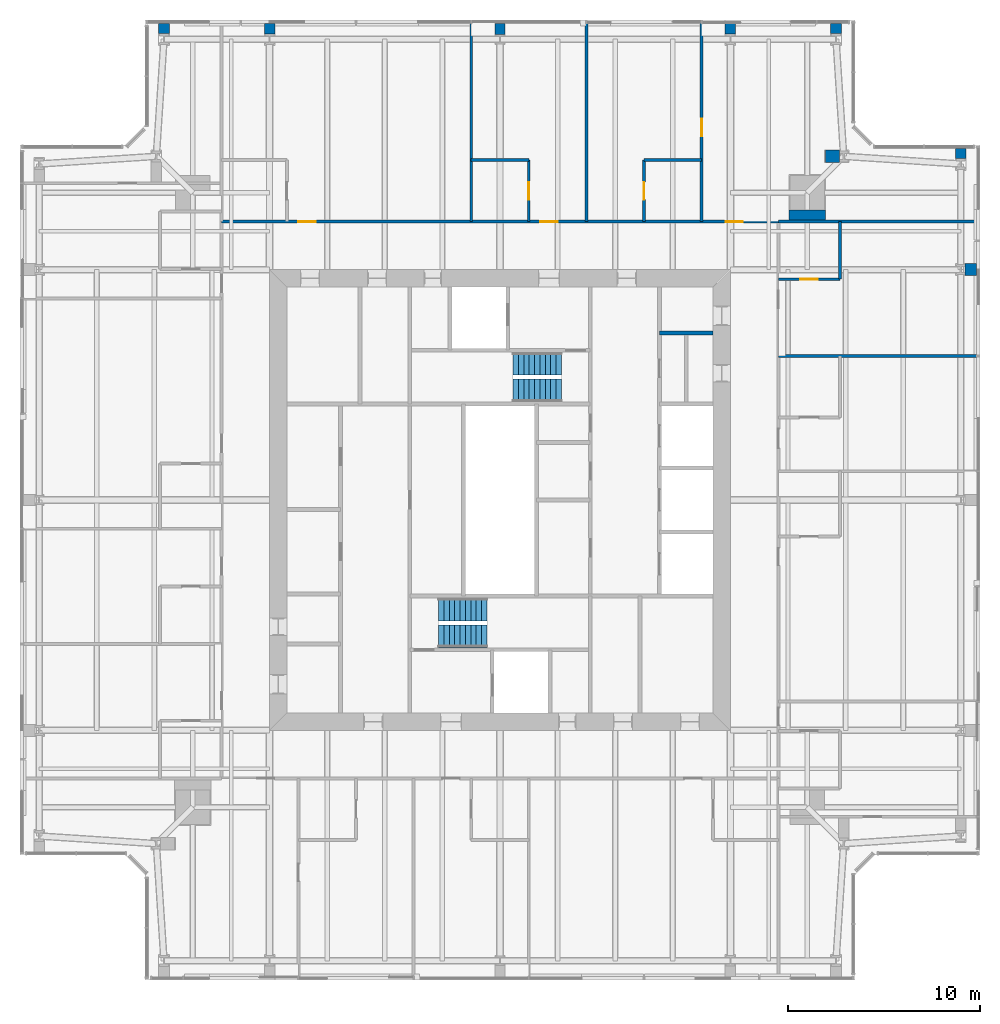
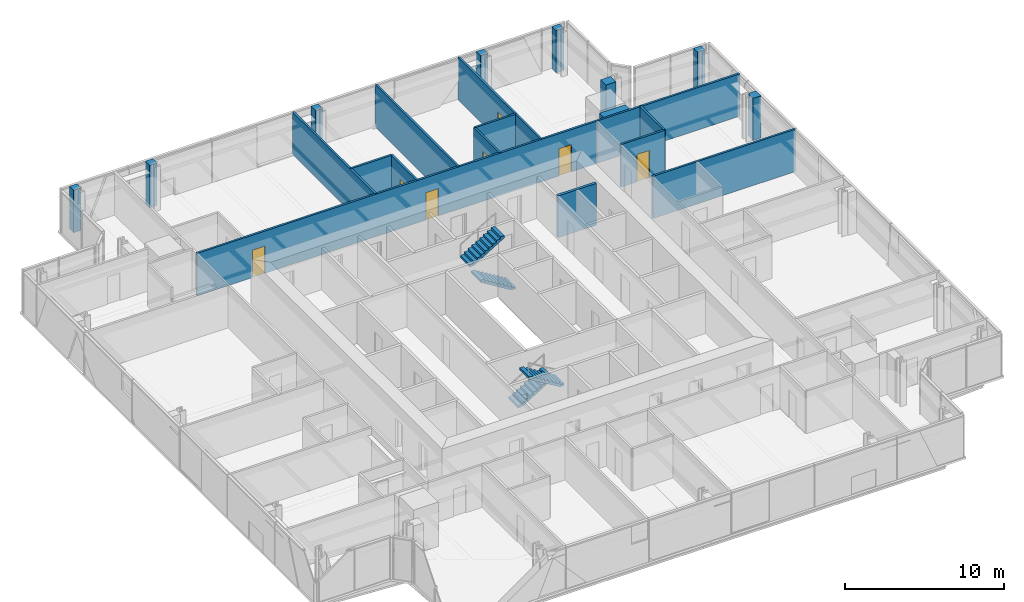
# One storey, part 15 of 18: 22 walls, 7 doors, 4 stair flights, 7 openings, 2 elements without a shape of their own.
"""IFC4 building model written with IfcOpenShell, lengths in metres."""

from ifc_helpers import new_model, si_unit, direction, frame, frame_2d, origin, place, context, subcontext, project, spatial, polyline, rectangle, outline, extrude, material, layer, layer_set, type_object, element, fill, aggregate, save


model = new_model("IFC4")

# Units and contexts
model_context = context("Model", 3, precision=1e-05, world=origin(), true_north=direction((0.0, 1.0)))
body_context = subcontext(model_context, "Body", "Model", "MODEL_VIEW")
ifc_project = project(units=[si_unit("LENGTHUNIT", "METRE"), si_unit("AREAUNIT", "SQUARE_METRE"), si_unit("VOLUMEUNIT", "CUBIC_METRE"), si_unit("PLANEANGLEUNIT", "RADIAN"), si_unit("MASSUNIT", "GRAM", prefix="KILO")], contexts=[model_context])

# Site, building, storey
site_placement = place(None, origin())
site = spatial("IfcSite", under=ifc_project, at=site_placement, CompositionType="ELEMENT")
building_placement = place(site_placement, origin())
building = spatial("IfcBuilding", under=site, at=building_placement, Name="Fenwick Lantern Interchange", CompositionType="ELEMENT")
storey_placement = place(building_placement, frame((0.0, 0.0, 290.0)))
storey = spatial("IfcBuildingStorey", under=building, at=storey_placement, Name="L70", CompositionType="ELEMENT", Elevation=290.0)

# Walls
ifc_material_1 = material(Name="Fire-rated gypsum board encasement on steel studs, 2 hour", Category="steel")
ifc_layer_1 = layer(ifc_material_1, 1.89990234375)
ifc_layer_set_1 = layer_set([ifc_layer_1], Name="COLUMN PIER 1900")
wall_type_1 = type_object("IfcWallType", Name="COLUMN PIER 1900", PredefinedType="PARTITIONING", material=ifc_layer_set_1)
wall_1_placement = place(storey_placement, frame((41.0, 39.574951171875, 0.0), z_axis=(0.0, 0.0, 1.0), x_axis=(0.0, 1.0, 0.0)))
element("IfcWall", 1, at=wall_1_placement, inside=storey, type_object=wall_type_1, Name="L70/W/PIER/M3", PredefinedType="PARTITIONING", context=body_context, shape_type="SweptSolid", body=[
    extrude(rectangle(XDim=0.525146484375, YDim=1.89990234375, at=frame_2d((0.2626953125, 0.0))), origin(), (0.0, 0.0, 1.0), 3.25),
])
ifc_layer_2 = layer(ifc_material_1, 0.52392578125)
ifc_layer_set_2 = layer_set([ifc_layer_2], Name="COLUMN PIER 524")
wall_type_2 = type_object("IfcWallType", Name="COLUMN PIER 524", PredefinedType="PARTITIONING", material=ifc_layer_set_2)
wall_2_placement = place(storey_placement, frame((25.0, 49.81005859375, 0.0), z_axis=(0.0, 0.0, 1.0), x_axis=(0.0, -1.0, 0.0)))
element("IfcWall", 2, at=wall_2_placement, inside=storey, type_object=wall_type_2, Name="L70/W/PIER/CN3", PredefinedType="PARTITIONING", context=body_context, shape_type="SweptSolid", body=[
    extrude(rectangle(XDim=0.572509765625, YDim=0.52392578125, at=frame_2d((0.2861328125, 0.0))), origin(), (0.0, 0.0, 1.0), 3.25),
])
ifc_layer_3 = layer(ifc_material_1, 0.5419921875)
ifc_layer_set_3 = layer_set([ifc_layer_3], Name="COLUMN PIER 542")
wall_type_3 = type_object("IfcWallType", Name="COLUMN PIER 542", PredefinedType="PARTITIONING", material=ifc_layer_set_3)
for number, where, z_axis, x_axis, name in (
    (3, (37.0, 49.81005859375, 0.0), (0.0, 0.0, 1.0), (0.0, -1.0, 0.0), "L70/W/PIER/CN2"),
    (4, (13.0, 49.81005859375, 0.0), (0.0, 0.0, 1.0), (0.0, -1.0, 0.0), "L70/W/PIER/CN4"),
):
    element("IfcWall", number, at=place(storey_placement, frame(where, z_axis=z_axis, x_axis=x_axis)), inside=storey, type_object=wall_type_3, Name=name, PredefinedType="PARTITIONING", context=body_context, shape_type="SweptSolid", body=[
        extrude(rectangle(XDim=0.544677734375, YDim=0.5419921875, at=frame_2d((0.2724609375, 0.0))), origin(), (0.0, 0.0, 1.0), 3.25),
    ])
ifc_layer_4 = layer(ifc_material_1, 0.554931640625)
ifc_layer_set_4 = layer_set([ifc_layer_4], Name="COLUMN PIER 555")
wall_type_4 = type_object("IfcWallType", Name="COLUMN PIER 555", PredefinedType="PARTITIONING", material=ifc_layer_set_4)
for number, where, z_axis, x_axis, name in (
    (5, (49.0, 43.31005859375, 0.0), (0.0, 0.0, 1.0), (0.0, -1.0, 0.0), "L70/W/PIER/CE5"),
    (6, (42.5, 49.81005859375, 0.0), (0.0, 0.0, 1.0), (0.0, -1.0, 0.0), "L70/W/PIER/CN1"),
    (7, (7.5, 49.81005859375, 0.0), (0.0, 0.0, 1.0), (0.0, -1.0, 0.0), "L70/W/PIER/CN5"),
):
    element("IfcWall", number, at=place(storey_placement, frame(where, z_axis=z_axis, x_axis=x_axis)), inside=storey, type_object=wall_type_4, Name=name, PredefinedType="PARTITIONING", context=body_context, shape_type="SweptSolid", body=[
        extrude(rectangle(XDim=0.525634765625, YDim=0.554931640625, at=frame_2d((0.2626953125, 0.0))), origin(), (0.0, 0.0, 1.0), 3.25),
    ])
ifc_layer_5 = layer(ifc_material_1, 0.631103515625)
ifc_layer_set_5 = layer_set([ifc_layer_5], Name="COLUMN PIER 631")
wall_type_5 = type_object("IfcWallType", Name="COLUMN PIER 631", PredefinedType="PARTITIONING", material=ifc_layer_set_5)
wall_3_placement = place(storey_placement, frame((49.81005859375, 37.0, 0.0), z_axis=(0.0, 0.0, 1.0), x_axis=(-1.0, 0.0, 0.0)))
element("IfcWall", 8, at=wall_3_placement, inside=storey, type_object=wall_type_5, Name="L70/W/PIER/CE4", PredefinedType="PARTITIONING", context=body_context, shape_type="SweptSolid", body=[
    extrude(rectangle(XDim=0.589111328125, YDim=0.631103515625, at=frame_2d((0.29443359375, 0.0))), origin(), (0.0, 0.0, 1.0), 3.25),
])
ifc_layer_6 = layer(ifc_material_1, 0.6689453125)
ifc_layer_set_6 = layer_set([ifc_layer_6], Name="COLUMN PIER 669")
wall_type_6 = type_object("IfcWallType", Name="COLUMN PIER 669", PredefinedType="PARTITIONING", material=ifc_layer_set_6)
wall_4_placement = place(storey_placement, frame((41.949951171875, 42.89990234375, 0.0), z_axis=(0.0, 0.0, 1.0), x_axis=(1.0, 0.0, 0.0)))
element("IfcWall", 9, at=wall_4_placement, inside=storey, type_object=wall_type_6, Name="L70/W/PIER/CER", PredefinedType="PARTITIONING", context=body_context, shape_type="SweptSolid", body=[
    extrude(rectangle(XDim=0.72265625, YDim=0.6689453125, at=frame_2d((0.361328125, 0.0))), origin(), (0.0, 0.0, 1.0), 3.25),
])
ifc_material_2 = material(Name="Concrete masonry ASTM C90 Grade N", Category="masonry")
ifc_layer_7 = layer(ifc_material_2, 0.199951171875)
ifc_layer_set_7 = layer_set([ifc_layer_7], Name="Concrete masonry ASTM C90 Grade N")
wall_type_7 = type_object("IfcWallType", Name="CORE PARTITION 200", PredefinedType="PARTITIONING", material=ifc_layer_set_7)
wall_5_placement = place(storey_placement, frame((36.10009765625, 33.699951171875, 0.0), z_axis=(0.0, 0.0, 1.0), x_axis=(-1.0, 0.0, 0.0)))
element("IfcWall", 10, at=wall_5_placement, inside=storey, type_object=wall_type_7, Name="L70/W/COREN/p1", PredefinedType="PARTITIONING", context=body_context, shape_type="SweptSolid", body=[
    extrude(rectangle(XDim=2.800048828125, YDim=0.199951171875, at=frame_2d((1.39990234375, 0.0))), origin(), (0.0, 0.0, 1.0), 3.199951171875),
])

# Wall, openings, doors
ifc_material_3 = material(Name="Gypsum board on steel studs, 1 hour", Category="steel")
ifc_layer_8 = layer(ifc_material_3, 0.14990234375)
ifc_layer_set_8 = layer_set([ifc_layer_8], Name="CORRIDOR WALL 150")
wall_type_8 = type_object("IfcWallType", Name="CORRIDOR WALL 150", PredefinedType="PARTITIONING", material=ifc_layer_set_8)
wall_6_placement = place(storey_placement, frame((39.5, 39.5, 0.0), z_axis=(0.0, 0.0, 1.0), x_axis=(-1.0, 0.0, 0.0)))
wall_6 = element("IfcWall", 11, at=wall_6_placement, inside=storey, type_object=wall_type_8, Name="L70/W/HOTEL/N/CW", PredefinedType="PARTITIONING", context=body_context, shape_type="SweptSolid", body=[
    extrude(rectangle(XDim=29.0, YDim=0.14990234375, at=frame_2d((14.5, 0.0))), origin(), (0.0, 0.0, 1.0), 3.25),
])
opening_1_placement = place(wall_6_placement, frame((1.85009765625, 0.0, 0.0)))
opening_1 = element("IfcOpeningElement", 12, at=opening_1_placement, cuts=wall_6, Name="Opening L70-D040", PredefinedType="OPENING", context=body_context, shape_type="SweptSolid", body=[
    extrude(rectangle(XDim=0.89990234375, YDim=2.10009765625, at=frame_2d((0.449951171875, 1.050048828125))), frame((0.0, 0.0849609375, 0.0), z_axis=(0.0, -1.0, 0.0), x_axis=(1.0, 0.0, 0.0)), (0.0, 0.0, 1.0), 0.169921875),
])
opening_2_placement = place(wall_6_placement, frame((11.5, 0.0, 0.0)))
opening_2 = element("IfcOpeningElement", 13, at=opening_2_placement, cuts=wall_6, Name="Opening L70-D044", PredefinedType="OPENING", context=body_context, shape_type="SweptSolid", body=[
    extrude(rectangle(XDim=0.89990234375, YDim=2.10009765625, at=frame_2d((0.449951171875, 1.050048828125))), frame((0.0, 0.0849609375, 0.0), z_axis=(0.0, -1.0, 0.0), x_axis=(1.0, 0.0, 0.0)), (0.0, 0.0, 1.0), 0.169921875),
])
opening_3_placement = place(wall_6_placement, frame((24.10009765625, 0.0, 0.0)))
opening_3 = element("IfcOpeningElement", 14, at=opening_3_placement, cuts=wall_6, Name="Opening L70-D046", PredefinedType="OPENING", context=body_context, shape_type="SweptSolid", body=[
    extrude(rectangle(XDim=0.89990234375, YDim=2.10009765625, at=frame_2d((0.449951171875, 1.050048828125))), frame((0.0, 0.0849609375, 0.0), z_axis=(0.0, -1.0, 0.0), x_axis=(1.0, 0.0, 0.0)), (0.0, 0.0, 1.0), 0.169921875),
])
ifc_material_4 = material(Name="Steel door and frame", Category="steel")
door_type_1 = type_object("IfcDoorType", Name="GUEST ROOM DOOR 900 X 2100", OperationType="SINGLE_SWING_LEFT", PredefinedType="DOOR", material=ifc_material_4)
door_1_placement = place(opening_1_placement, frame((0.89990234375, 0.0, 0.0), z_axis=(0.0, 0.0, 1.0), x_axis=(-1.0, 0.0, 0.0)))
door_1 = element("IfcDoor", 15, at=door_1_placement, inside=storey, type_object=door_type_1, Name="Guest room door", OperationType="SINGLE_SWING_LEFT", OverallHeight=2.10009765625, OverallWidth=0.89990234375, PredefinedType="DOOR", context=body_context, shape_type="SweptSolid", body=[
    extrude(rectangle(XDim=0.89990234375, YDim=2.10009765625, at=frame_2d((0.449951171875, 1.050048828125))), frame((0.0, 0.02490234375, 0.0), z_axis=(0.0, -1.0, 0.0), x_axis=(1.0, 0.0, 0.0)), (0.0, 0.0, 1.0), 0.050048828125),
])
fill(opening_1, door_1)
door_2_placement = place(opening_2_placement, frame((0.89990234375, 0.0, 0.0), z_axis=(0.0, 0.0, 1.0), x_axis=(-1.0, 0.0, 0.0)))
door_2 = element("IfcDoor", 16, at=door_2_placement, inside=storey, type_object=door_type_1, Name="Guest room door", OperationType="SINGLE_SWING_LEFT", OverallHeight=2.10009765625, OverallWidth=0.89990234375, PredefinedType="DOOR", context=body_context, shape_type="SweptSolid", body=[
    extrude(rectangle(XDim=0.89990234375, YDim=2.10009765625, at=frame_2d((0.449951171875, 1.050048828125))), frame((0.0, 0.02490234375, 0.0), z_axis=(0.0, -1.0, 0.0), x_axis=(1.0, 0.0, 0.0)), (0.0, 0.0, 1.0), 0.050048828125),
])
fill(opening_2, door_2)
door_3_placement = place(opening_3_placement, frame((0.89990234375, 0.0, 0.0), z_axis=(0.0, 0.0, 1.0), x_axis=(-1.0, 0.0, 0.0)))
door_3 = element("IfcDoor", 17, at=door_3_placement, inside=storey, type_object=door_type_1, Name="Guest room door", OperationType="SINGLE_SWING_LEFT", OverallHeight=2.10009765625, OverallWidth=0.89990234375, PredefinedType="DOOR", context=body_context, shape_type="SweptSolid", body=[
    extrude(rectangle(XDim=0.89990234375, YDim=2.10009765625, at=frame_2d((0.449951171875, 1.050048828125))), frame((0.0, 0.02490234375, 0.0), z_axis=(0.0, -1.0, 0.0), x_axis=(1.0, 0.0, 0.0)), (0.0, 0.0, 1.0), 0.050048828125),
])
fill(opening_3, door_3)

# Wall
ifc_material_5 = material(Name="Gypsum board on steel studs, moisture resistant", Category="steel")
ifc_layer_9 = layer(ifc_material_5, 0.14990234375)
ifc_layer_set_9 = layer_set([ifc_layer_9], Name="EN-SUITE WALL 150")
wall_type_9 = type_object("IfcWallType", Name="EN-SUITE WALL 150", PredefinedType="PARTITIONING", material=ifc_layer_set_9)
wall_7_placement = place(storey_placement, frame((42.699951171875, 36.5, 0.0), z_axis=(0.0, 0.0, 1.0), x_axis=(0.0, 1.0, 0.0)))
element("IfcWall", 18, at=wall_7_placement, inside=storey, type_object=wall_type_9, Name="L70/W/HOTEL/E/U4BW", PredefinedType="PARTITIONING", context=body_context, shape_type="SweptSolid", body=[
    extrude(rectangle(XDim=3.0, YDim=0.14990234375, at=frame_2d((1.5, 0.0))), origin(), (0.0, 0.0, 1.0), 3.25),
])

# Wall, opening, door
wall_8_placement = place(storey_placement, frame((42.699951171875, 36.5, 0.0), z_axis=(0.0, 0.0, 1.0), x_axis=(-1.0, 0.0, 0.0)))
wall_8 = element("IfcWall", 19, at=wall_8_placement, inside=storey, type_object=wall_type_9, Name="L70/W/HOTEL/E/U4BX", PredefinedType="PARTITIONING", context=body_context, shape_type="SweptSolid", body=[
    extrude(rectangle(XDim=3.199951171875, YDim=0.14990234375, at=frame_2d((1.60009765625, 0.0))), origin(), (0.0, 0.0, 1.0), 3.25),
])
opening_4_placement = place(wall_8_placement, frame((1.14990234375, 0.0, 0.0)))
opening_4 = element("IfcOpeningElement", 20, at=opening_4_placement, cuts=wall_8, Name="Opening L70-D038", PredefinedType="OPENING", context=body_context, shape_type="SweptSolid", body=[
    extrude(rectangle(XDim=0.89990234375, YDim=2.10009765625, at=frame_2d((0.449951171875, 1.050048828125))), frame((0.0, 0.0849609375, 0.0), z_axis=(0.0, -1.0, 0.0), x_axis=(1.0, 0.0, 0.0)), (0.0, 0.0, 1.0), 0.169921875),
])
ifc_material_6 = material(Name="Hardwood door and steel frame", Category="steel")
door_type_2 = type_object("IfcDoorType", Name="EN-SUITE DOOR 900 X 2100", OperationType="SINGLE_SWING_LEFT", PredefinedType="DOOR", material=ifc_material_6)
door_4_placement = place(opening_4_placement, frame((0.89990234375, 0.0, 0.0), z_axis=(0.0, 0.0, 1.0), x_axis=(-1.0, 0.0, 0.0)))
door_4 = element("IfcDoor", 21, at=door_4_placement, inside=storey, type_object=door_type_2, Name="En-suite door", OperationType="SINGLE_SWING_RIGHT", OverallHeight=2.10009765625, OverallWidth=0.89990234375, PredefinedType="DOOR", context=body_context, shape_type="SweptSolid", body=[
    extrude(rectangle(XDim=0.89990234375, YDim=2.10009765625, at=frame_2d((0.449951171875, 1.050048828125))), frame((0.0, 0.02490234375, 0.0), z_axis=(0.0, -1.0, 0.0), x_axis=(1.0, 0.0, 0.0)), (0.0, 0.0, 1.0), 0.050048828125),
])
fill(opening_4, door_4)

# Wall
wall_9_placement = place(storey_placement, frame((35.5, 42.699951171875, 0.0), z_axis=(0.0, 0.0, 1.0), x_axis=(-1.0, 0.0, 0.0)))
element("IfcWall", 22, at=wall_9_placement, inside=storey, type_object=wall_type_9, Name="L70/W/HOTEL/N/U1BW", PredefinedType="PARTITIONING", context=body_context, shape_type="SweptSolid", body=[
    extrude(rectangle(XDim=3.0, YDim=0.14990234375, at=frame_2d((1.5, 0.0))), origin(), (0.0, 0.0, 1.0), 3.25),
])

# Wall, opening, door
wall_10_placement = place(storey_placement, frame((32.5, 42.699951171875, 0.0), z_axis=(0.0, 0.0, 1.0), x_axis=(0.0, -1.0, 0.0)))
wall_10 = element("IfcWall", 23, at=wall_10_placement, inside=storey, type_object=wall_type_9, Name="L70/W/HOTEL/N/U1BX", PredefinedType="PARTITIONING", context=body_context, shape_type="SweptSolid", body=[
    extrude(rectangle(XDim=3.199951171875, YDim=0.14990234375, at=frame_2d((1.60009765625, 0.0))), origin(), (0.0, 0.0, 1.0), 3.25),
])
opening_5_placement = place(wall_10_placement, frame((1.14990234375, 0.0, 0.0)))
opening_5 = element("IfcOpeningElement", 24, at=opening_5_placement, cuts=wall_10, Name="Opening L70-D041", PredefinedType="OPENING", context=body_context, shape_type="SweptSolid", body=[
    extrude(rectangle(XDim=0.89990234375, YDim=2.10009765625, at=frame_2d((0.449951171875, 1.050048828125))), frame((0.0, 0.0849609375, 0.0), z_axis=(0.0, -1.0, 0.0), x_axis=(1.0, 0.0, 0.0)), (0.0, 0.0, 1.0), 0.169921875),
])
door_5_placement = place(opening_5_placement, origin())
door_5 = element("IfcDoor", 25, at=door_5_placement, inside=storey, type_object=door_type_2, Name="En-suite door", OperationType="SINGLE_SWING_LEFT", OverallHeight=2.10009765625, OverallWidth=0.89990234375, PredefinedType="DOOR", context=body_context, shape_type="SweptSolid", body=[
    extrude(rectangle(XDim=0.89990234375, YDim=2.10009765625, at=frame_2d((0.449951171875, 1.050048828125))), frame((0.0, 0.02490234375, 0.0), z_axis=(0.0, -1.0, 0.0), x_axis=(1.0, 0.0, 0.0)), (0.0, 0.0, 1.0), 0.050048828125),
])
fill(opening_5, door_5)

# Wall
wall_11_placement = place(storey_placement, frame((26.5, 42.699951171875, 0.0), z_axis=(0.0, 0.0, 1.0), x_axis=(-1.0, 0.0, 0.0)))
element("IfcWall", 26, at=wall_11_placement, inside=storey, type_object=wall_type_9, Name="L70/W/HOTEL/N/U2BW", PredefinedType="PARTITIONING", context=body_context, shape_type="SweptSolid", body=[
    extrude(rectangle(XDim=3.0, YDim=0.14990234375, at=frame_2d((1.5, 0.0))), origin(), (0.0, 0.0, 1.0), 3.25),
])

# Wall, opening, door
wall_12_placement = place(storey_placement, frame((26.5, 42.699951171875, 0.0), z_axis=(0.0, 0.0, 1.0), x_axis=(0.0, -1.0, 0.0)))
wall_12 = element("IfcWall", 27, at=wall_12_placement, inside=storey, type_object=wall_type_9, Name="L70/W/HOTEL/N/U2BX", PredefinedType="PARTITIONING", context=body_context, shape_type="SweptSolid", body=[
    extrude(rectangle(XDim=3.199951171875, YDim=0.14990234375, at=frame_2d((1.60009765625, 0.0))), origin(), (0.0, 0.0, 1.0), 3.25),
])
opening_6_placement = place(wall_12_placement, frame((1.14990234375, 0.0, 0.0)))
opening_6 = element("IfcOpeningElement", 28, at=opening_6_placement, cuts=wall_12, Name="Opening L70-D043", PredefinedType="OPENING", context=body_context, shape_type="SweptSolid", body=[
    extrude(rectangle(XDim=0.89990234375, YDim=2.10009765625, at=frame_2d((0.449951171875, 1.050048828125))), frame((0.0, 0.0849609375, 0.0), z_axis=(0.0, -1.0, 0.0), x_axis=(1.0, 0.0, 0.0)), (0.0, 0.0, 1.0), 0.169921875),
])
door_6_placement = place(opening_6_placement, frame((0.89990234375, 0.0, 0.0), z_axis=(0.0, 0.0, 1.0), x_axis=(-1.0, 0.0, 0.0)))
door_6 = element("IfcDoor", 29, at=door_6_placement, inside=storey, type_object=door_type_2, Name="En-suite door", OperationType="SINGLE_SWING_RIGHT", OverallHeight=2.10009765625, OverallWidth=0.89990234375, PredefinedType="DOOR", context=body_context, shape_type="SweptSolid", body=[
    extrude(rectangle(XDim=0.89990234375, YDim=2.10009765625, at=frame_2d((0.449951171875, 1.050048828125))), frame((0.0, 0.02490234375, 0.0), z_axis=(0.0, -1.0, 0.0), x_axis=(1.0, 0.0, 0.0)), (0.0, 0.0, 1.0), 0.050048828125),
])
fill(opening_6, door_6)

# Walls
ifc_material_7 = material(Name="Gypsum board on steel studs, 1 hour acoustic", Category="steel")
ifc_layer_10 = layer(ifc_material_7, 0.14990234375)
ifc_layer_set_10 = layer_set([ifc_layer_10], Name="PARTY WALL 150")
wall_type_10 = type_object("IfcWallType", Name="PARTY WALL 150", PredefinedType="PARTITIONING", material=ifc_layer_set_10)
for number, where, z_axis, x_axis, name in (
    (30, (49.85009765625, 32.5, 0.0), (0.0, 0.0, 1.0), (-1.0, 0.0, 0.0), "L70/W/HOTEL/E/U4PW"),
    (31, (49.85009765625, 39.5, 0.0), (0.0, 0.0, 1.0), (-1.0, 0.0, 0.0), "L70/W/HOTEL/N/SW3"),
    (32, (29.5, 49.85009765625, 0.0), (0.0, 0.0, 1.0), (0.0, -1.0, 0.0), "L70/W/HOTEL/N/U2PW"),
    (33, (23.5, 49.85009765625, 0.0), (0.0, 0.0, 1.0), (0.0, -1.0, 0.0), "L70/W/HOTEL/N/U3PW"),
):
    element("IfcWall", number, at=place(storey_placement, frame(where, z_axis=z_axis, x_axis=x_axis)), inside=storey, type_object=wall_type_10, Name=name, PredefinedType="PARTITIONING", context=body_context, shape_type="SweptSolid", body=[
        extrude(rectangle(XDim=10.35009765625, YDim=0.14990234375, at=frame_2d((5.175048828125, 0.0))), origin(), (0.0, 0.0, 1.0), 3.25),
    ])

# Wall, opening, door
ifc_material_8 = material(Name="Gypsum board on steel studs, acoustic", Category="steel")
ifc_layer_11 = layer(ifc_material_8, 0.14990234375)
ifc_layer_set_11 = layer_set([ifc_layer_11], Name="SUITE PARTITION 150")
wall_type_11 = type_object("IfcWallType", Name="SUITE PARTITION 150", PredefinedType="PARTITIONING", material=ifc_layer_set_11)
wall_13_placement = place(storey_placement, frame((35.5, 49.85009765625, 0.0), z_axis=(0.0, 0.0, 1.0), x_axis=(0.0, -1.0, 0.0)))
wall_13 = element("IfcWall", 34, at=wall_13_placement, inside=storey, type_object=wall_type_11, Name="L70/W/HOTEL/N/U1P", PredefinedType="PARTITIONING", context=body_context, shape_type="SweptSolid", body=[
    extrude(rectangle(XDim=10.35009765625, YDim=0.14990234375, at=frame_2d((5.175048828125, 0.0))), origin(), (0.0, 0.0, 1.0), 3.25),
])
opening_7_placement = place(wall_13_placement, frame((5.0, 0.0, 0.0)))
opening_7 = element("IfcOpeningElement", 35, at=opening_7_placement, cuts=wall_13, Name="Opening L70-D042", PredefinedType="OPENING", context=body_context, shape_type="SweptSolid", body=[
    extrude(rectangle(XDim=0.89990234375, YDim=2.10009765625, at=frame_2d((0.449951171875, 1.050048828125))), frame((0.0, 0.0849609375, 0.0), z_axis=(0.0, -1.0, 0.0), x_axis=(1.0, 0.0, 0.0)), (0.0, 0.0, 1.0), 0.169921875),
])
door_type_3 = type_object("IfcDoorType", Name="SUITE INTERNAL DOOR 900 X 2100", OperationType="SINGLE_SWING_LEFT", PredefinedType="DOOR", material=ifc_material_6)
door_7_placement = place(opening_7_placement, frame((0.89990234375, 0.0, 0.0), z_axis=(0.0, 0.0, 1.0), x_axis=(-1.0, 0.0, 0.0)))
door_7 = element("IfcDoor", 36, at=door_7_placement, inside=storey, type_object=door_type_3, Name="Suite internal door", OperationType="SINGLE_SWING_LEFT", OverallHeight=2.10009765625, OverallWidth=0.89990234375, PredefinedType="DOOR", context=body_context, shape_type="SweptSolid", body=[
    extrude(rectangle(XDim=0.89990234375, YDim=2.10009765625, at=frame_2d((0.449951171875, 1.050048828125))), frame((0.0, 0.02490234375, 0.0), z_axis=(0.0, -1.0, 0.0), x_axis=(1.0, 0.0, 0.0)), (0.0, 0.0, 1.0), 0.050048828125),
])
fill(opening_7, door_7)

# Stair, stair flights
ifc_material_9 = material(Name="Precast concrete f'c 35 MPa", Category="concrete")
stair_type = type_object("IfcStairType", Name="EXIT STAIR 1200", PredefinedType="HALF_TURN_STAIR", material=ifc_material_9)
stair_1_placement = place(storey_placement, origin())
stair_1 = element("IfcStair", 37, at=stair_1_placement, inside=storey, type_object=stair_type, Name="Exit stair ST1", PredefinedType="HALF_TURN_STAIR")
stair_flight_type = type_object("IfcStairFlightType", Name="STAIR FLIGHT 1200", PredefinedType="STRAIGHT", material=ifc_material_9)
stair_flight_1_placement = place(storey_placement, frame((21.800048828125, 19.300048828125, 0.0), z_axis=(0.0, 0.0, 1.0), x_axis=(1.0, 0.0, 0.0)))
stair_flight_1 = element("IfcStairFlight", 38, at=stair_flight_1_placement, type_object=stair_flight_type, Name="ST1 flight 1", NumberOfRisers=10, NumberOfTreads=9, PredefinedType="STRAIGHT", RiserHeight=0.17, TreadLength=0.28, context=body_context, shape_type="SweptSolid", body=[
    extrude(outline(polyline([(0.0, 0.0), (0.0, 0.169921875), (0.280029296875, 0.169921875), (0.280029296875, 0.340087890625), (0.56005859375, 0.340087890625), (0.56005859375, 0.510009765625), (0.840087890625, 0.510009765625), (0.840087890625, 0.679931640625), (1.1201171875, 0.679931640625), (1.1201171875, 0.85009765625), (1.39990234375, 0.85009765625), (1.39990234375, 1.02001953125), (1.679931640625, 1.02001953125), (1.679931640625, 1.18994140625), (1.9599609375, 1.18994140625), (1.9599609375, 1.360107421875), (2.239990234375, 1.360107421875), (2.239990234375, 1.530029296875), (2.52001953125, 1.530029296875), (2.52001953125, 1.699951171875), (2.52001953125, 1.354736328125), (0.288818359375, 0.0), (0.0, 0.0)])), frame((0.0, 0.60009765625, 0.0), z_axis=(0.0, -1.0, 0.0), x_axis=(1.0, 0.0, 0.0)), (0.0, 0.0, 1.0), 1.199951171875),
])
stair_flight_2_placement = place(storey_placement, frame((24.320068359375, 17.89990234375, 1.699951171875), z_axis=(0.0, 0.0, 1.0), x_axis=(-1.0, 0.0, 0.0)))
stair_flight_2 = element("IfcStairFlight", 39, at=stair_flight_2_placement, type_object=stair_flight_type, Name="ST1 flight 2", NumberOfRisers=10, NumberOfTreads=9, PredefinedType="STRAIGHT", RiserHeight=0.17, TreadLength=0.28, context=body_context, shape_type="SweptSolid", body=[
    extrude(outline(polyline([(0.0, 0.0), (0.0, 0.169921875), (0.280029296875, 0.169921875), (0.280029296875, 0.340087890625), (0.56005859375, 0.340087890625), (0.56005859375, 0.510009765625), (0.840087890625, 0.510009765625), (0.840087890625, 0.679931640625), (1.1201171875, 0.679931640625), (1.1201171875, 0.85009765625), (1.39990234375, 0.85009765625), (1.39990234375, 1.02001953125), (1.679931640625, 1.02001953125), (1.679931640625, 1.18994140625), (1.9599609375, 1.18994140625), (1.9599609375, 1.360107421875), (2.239990234375, 1.360107421875), (2.239990234375, 1.530029296875), (2.52001953125, 1.530029296875), (2.52001953125, 1.699951171875), (2.52001953125, 1.354736328125), (0.288818359375, 0.0), (0.0, 0.0)])), frame((0.0, 0.60009765625, 0.0), z_axis=(0.0, -1.0, 0.0), x_axis=(1.0, 0.0, 0.0)), (0.0, 0.0, 1.0), 1.199951171875),
])
aggregate(stair_1, [stair_flight_1, stair_flight_2])

stair_2_placement = place(storey_placement, origin())
stair_2 = element("IfcStair", 40, at=stair_2_placement, inside=storey, type_object=stair_type, Name="Exit stair ST2", PredefinedType="HALF_TURN_STAIR")
stair_flight_3_placement = place(storey_placement, frame((28.199951171875, 30.699951171875, 0.0), z_axis=(0.0, 0.0, 1.0), x_axis=(-1.0, 0.0, 0.0)))
stair_flight_3 = element("IfcStairFlight", 41, at=stair_flight_3_placement, type_object=stair_flight_type, Name="ST2 flight 1", NumberOfRisers=10, NumberOfTreads=9, PredefinedType="STRAIGHT", RiserHeight=0.17, TreadLength=0.28, context=body_context, shape_type="SweptSolid", body=[
    extrude(outline(polyline([(0.0, 0.0), (0.0, 0.169921875), (0.280029296875, 0.169921875), (0.280029296875, 0.340087890625), (0.56005859375, 0.340087890625), (0.56005859375, 0.510009765625), (0.840087890625, 0.510009765625), (0.840087890625, 0.679931640625), (1.1201171875, 0.679931640625), (1.1201171875, 0.85009765625), (1.39990234375, 0.85009765625), (1.39990234375, 1.02001953125), (1.679931640625, 1.02001953125), (1.679931640625, 1.18994140625), (1.9599609375, 1.18994140625), (1.9599609375, 1.360107421875), (2.239990234375, 1.360107421875), (2.239990234375, 1.530029296875), (2.52001953125, 1.530029296875), (2.52001953125, 1.699951171875), (2.52001953125, 1.354736328125), (0.288818359375, 0.0), (0.0, 0.0)])), frame((0.0, 0.60009765625, 0.0), z_axis=(0.0, -1.0, 0.0), x_axis=(1.0, 0.0, 0.0)), (0.0, 0.0, 1.0), 1.199951171875),
])
stair_flight_4_placement = place(storey_placement, frame((25.679931640625, 32.10009765625, 1.699951171875), z_axis=(0.0, 0.0, 1.0), x_axis=(1.0, 0.0, 0.0)))
stair_flight_4 = element("IfcStairFlight", 42, at=stair_flight_4_placement, type_object=stair_flight_type, Name="ST2 flight 2", NumberOfRisers=10, NumberOfTreads=9, PredefinedType="STRAIGHT", RiserHeight=0.17, TreadLength=0.28, context=body_context, shape_type="SweptSolid", body=[
    extrude(outline(polyline([(0.0, 0.0), (0.0, 0.169921875), (0.280029296875, 0.169921875), (0.280029296875, 0.340087890625), (0.56005859375, 0.340087890625), (0.56005859375, 0.510009765625), (0.840087890625, 0.510009765625), (0.840087890625, 0.679931640625), (1.1201171875, 0.679931640625), (1.1201171875, 0.85009765625), (1.39990234375, 0.85009765625), (1.39990234375, 1.02001953125), (1.679931640625, 1.02001953125), (1.679931640625, 1.18994140625), (1.9599609375, 1.18994140625), (1.9599609375, 1.360107421875), (2.239990234375, 1.360107421875), (2.239990234375, 1.530029296875), (2.52001953125, 1.530029296875), (2.52001953125, 1.699951171875), (2.52001953125, 1.354736328125), (0.288818359375, 0.0), (0.0, 0.0)])), frame((0.0, 0.60009765625, 0.0), z_axis=(0.0, -1.0, 0.0), x_axis=(1.0, 0.0, 0.0)), (0.0, 0.0, 1.0), 1.199951171875),
])
aggregate(stair_2, [stair_flight_3, stair_flight_4])

save(model, "model.ifc")
